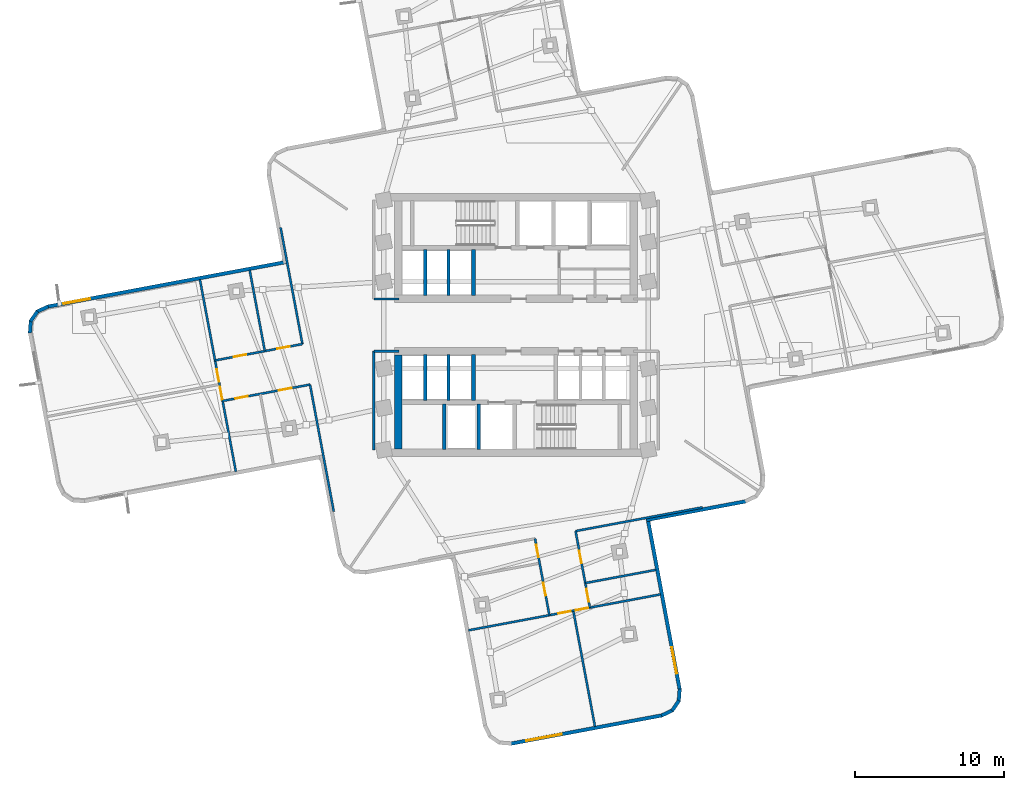
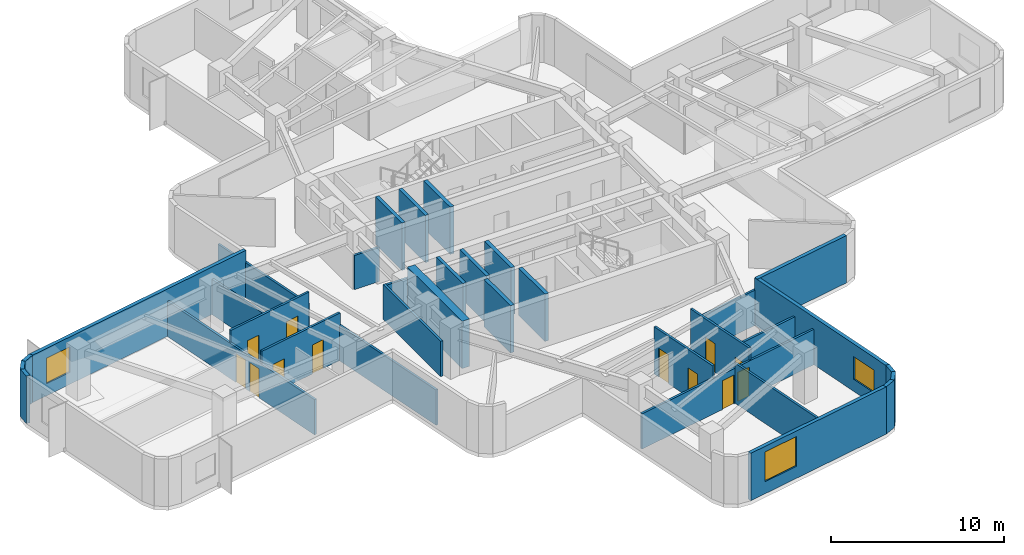
# One storey, part 3 of 9: 34 walls, 12 doors, 3 windows, 15 openings.
"""IFC4 building model written with IfcOpenShell, lengths in metres."""

from ifc_helpers import new_model, si_unit, direction, frame, frame_2d, origin, place, context, subcontext, project, spatial, rectangle, extrude, material, layer, layer_set, type_object, element, fill, save


model = new_model("IFC4")

# Units and contexts
model_context = context("Model", 3, precision=1e-05, world=origin(), true_north=direction((0.0, 1.0)))
body_context = subcontext(model_context, "Body", "Model", "MODEL_VIEW")
ifc_project = project(units=[si_unit("LENGTHUNIT", "METRE"), si_unit("AREAUNIT", "SQUARE_METRE"), si_unit("VOLUMEUNIT", "CUBIC_METRE"), si_unit("PLANEANGLEUNIT", "RADIAN"), si_unit("MASSUNIT", "GRAM", prefix="KILO")], contexts=[model_context])

# Site, building, storey
site_placement = place(None, origin())
site = spatial("IfcSite", under=ifc_project, at=site_placement, CompositionType="ELEMENT")
building_placement = place(site_placement, origin())
building = spatial("IfcBuilding", under=site, at=building_placement, Name="Solmarez Civic Tower", CompositionType="ELEMENT")
storey_placement = place(building_placement, frame((0.0, 0.0, 100.080078125)))
storey = spatial("IfcBuildingStorey", under=building, at=storey_placement, Name="L26", CompositionType="ELEMENT", Elevation=100.080078125)

# Walls
ifc_material_1 = material(Name="Concrete C60/75", Category="concrete")
ifc_layer_1 = layer(ifc_material_1, 0.5)
ifc_layer_set_1 = layer_set([ifc_layer_1], Name="Concrete C60/75")
wall_type_1 = type_object("IfcWallType", Name="WALL-CORE-500", PredefinedType="SHEAR", material=ifc_layer_set_1)
wall_1_placement = place(storey_placement, frame((-7.8701171875, -8.31005859375, 0.0), z_axis=(0.0, 0.0, 1.0), x_axis=(0.0, 1.0, 0.0)))
element("IfcWall", 1, at=wall_1_placement, inside=storey, type_object=wall_type_1, Name="L26 Split-Core Structural Wall SCW-W-L26", PredefinedType="SHEAR", context=body_context, shape_type="SweptSolid", body=[
    extrude(rectangle(XDim=6.31005859375, YDim=0.5, at=frame_2d((3.155029296875, 0.0))), origin(), (0.0, 0.0, 1.0), 3.33984375),
])
ifc_material_2 = material(Name="Precast concrete C40/50", Category="concrete")
ifc_layer_2 = layer(ifc_material_2, 0.239990234375)
ifc_layer_set_2 = layer_set([ifc_layer_2], Name="Precast concrete C40/50")
wall_type_2 = type_object("IfcWallType", Name="WALL-EXT-240", PredefinedType="SOLIDWALL", material=ifc_layer_set_2)
wall_2_placement = place(storey_placement, frame((-32.54296875, -0.535888671875, 0.0), z_axis=(0.0, 0.0, 1.0), x_axis=(0.07586448817, 0.997118137151, 0.0)))
element("IfcWall", 2, at=wall_2_placement, inside=storey, type_object=wall_type_2, Name="L26 Exterior Precast Wall 7", PredefinedType="SOLIDWALL", context=body_context, shape_type="SweptSolid", body=[
    extrude(rectangle(XDim=0.830322265625, YDim=0.239990234375, at=frame_2d((0.4150390625, 0.0))), origin(), (0.0, 0.0, 1.0), 3.33984375),
])
wall_3_placement = place(storey_placement, frame((-32.49609375, 0.24609375, 0.0), z_axis=(0.0, 0.0, 1.0), x_axis=(0.56454433247, 0.825402748163, 0.0)))
element("IfcWall", 3, at=wall_3_placement, inside=storey, type_object=wall_type_2, Name="L26 Exterior Precast Wall 8", PredefinedType="SOLIDWALL", context=body_context, shape_type="SweptSolid", body=[
    extrude(rectangle(XDim=0.815185546875, YDim=0.239990234375, at=frame_2d((0.40771484375, 0.0))), origin(), (0.0, 0.0, 1.0), 3.33984375),
])
wall_4_placement = place(storey_placement, frame((-32.072998046875, 0.886962890625, 0.0), z_axis=(0.0, 0.0, 1.0), x_axis=(0.901930409836, 0.431881390908, 0.0)))
element("IfcWall", 4, at=wall_4_placement, inside=storey, type_object=wall_type_2, Name="L26 Exterior Precast Wall 9", PredefinedType="SOLIDWALL", context=body_context, shape_type="SweptSolid", body=[
    extrude(rectangle(XDim=0.83154296875, YDim=0.239990234375, at=frame_2d((0.415771484375, 0.0))), origin(), (0.0, 0.0, 1.0), 3.33984375),
])

# Wall, opening, window
wall_5_placement = place(storey_placement, frame((-31.37109375, 1.22998046875, 0.0), z_axis=(0.0, 0.0, 1.0), x_axis=(0.982920382654, 0.18403130539, 0.0)))
wall_5 = element("IfcWall", 5, at=wall_5_placement, inside=storey, type_object=wall_type_2, Name="L26 Exterior Precast Wall 10", PredefinedType="SOLIDWALL", context=body_context, shape_type="SweptSolid", body=[
    extrude(rectangle(XDim=16.275146484375, YDim=0.239990234375, at=frame_2d((8.1376953125, 0.0))), origin(), (0.0, 0.0, 1.0), 3.33984375),
])
opening_1_placement = place(wall_5_placement, frame((1.10009765625, 0.0, 0.85009765625)))
opening_1 = element("IfcOpeningElement", 6, at=opening_1_placement, cuts=wall_5, Name="Opening W-08", PredefinedType="OPENING", context=body_context, shape_type="SweptSolid", body=[
    extrude(rectangle(XDim=1.800048828125, YDim=1.800048828125, at=frame_2d((0.89990234375, 0.89990234375))), frame((0.0, 0.1298828125, 0.0), z_axis=(0.0, -1.0, 0.0), x_axis=(1.0, 0.0, 0.0)), (0.0, 0.0, 1.0), 0.260009765625),
])
ifc_material_3 = material(Name="Solar Control Bronze-Tinted Insulating Glass", Category="glass")
window_type_1 = type_object("IfcWindowType", Name="WIN-1800X1800", PartitioningType="SINGLE_PANEL", PredefinedType="WINDOW", material=ifc_material_3)
window_1_placement = place(opening_1_placement, origin())
window_1 = element("IfcWindow", 7, at=window_1_placement, inside=storey, type_object=window_type_1, Name="L26 Exterior Facade Window 10", OverallHeight=1.800048828125, OverallWidth=1.800048828125, PartitioningType="SINGLE_PANEL", PredefinedType="WINDOW", context=body_context, shape_type="SweptSolid", body=[
    extrude(rectangle(XDim=1.800048828125, YDim=1.800048828125, at=frame_2d((0.89990234375, 0.89990234375))), frame((0.0, 0.030029296875, 0.0), z_axis=(0.0, -1.0, 0.0), x_axis=(1.0, 0.0, 0.0)), (0.0, 0.0, 1.0), 0.06005859375),
])
fill(opening_1, window_1)

# Wall
wall_6_placement = place(storey_placement, frame((15.39306640625, -11.799072265625, 0.0), z_axis=(0.0, 0.0, 1.0), x_axis=(-0.982891759821, -0.184184115697, 0.0)))
element("IfcWall", 8, at=wall_6_placement, inside=storey, type_object=wall_type_2, Name="L26 Exterior Precast Wall 53", PredefinedType="SOLIDWALL", context=body_context, shape_type="SweptSolid", body=[
    extrude(rectangle(XDim=6.776123046875, YDim=0.239990234375, at=frame_2d((3.38818359375, 0.0))), origin(), (0.0, 0.0, 1.0), 3.33984375),
])

# Wall, opening, window
wall_7_placement = place(storey_placement, frame((8.80908203125, -12.93505859375, 0.0), z_axis=(0.0, 0.0, 1.0), x_axis=(0.184057484564, -0.98291548079, 0.0)))
wall_7 = element("IfcWall", 9, at=wall_7_placement, inside=storey, type_object=wall_type_2, Name="L26 Exterior Precast Wall 56", PredefinedType="SOLIDWALL", context=body_context, shape_type="SweptSolid", body=[
    extrude(rectangle(XDim=11.67529296875, YDim=0.239990234375, at=frame_2d((5.837646484375, 0.0))), origin(), (0.0, 0.0, 1.0), 3.33984375),
])
opening_2_placement = place(wall_7_placement, frame((8.77490234375, 0.0, 0.85009765625)))
opening_2 = element("IfcOpeningElement", 10, at=opening_2_placement, cuts=wall_7, Name="Opening W-12", PredefinedType="OPENING", context=body_context, shape_type="SweptSolid", body=[
    extrude(rectangle(XDim=1.800048828125, YDim=1.60009765625, at=frame_2d((0.89990234375, 0.800048828125))), frame((0.0, 0.1298828125, 0.0), z_axis=(0.0, -1.0, 0.0), x_axis=(1.0, 0.0, 0.0)), (0.0, 0.0, 1.0), 0.260009765625),
])
window_type_2 = type_object("IfcWindowType", Name="WIN-1800X1600", PartitioningType="SINGLE_PANEL", PredefinedType="WINDOW", material=ifc_material_3)
window_2_placement = place(opening_2_placement, origin())
window_2 = element("IfcWindow", 11, at=window_2_placement, inside=storey, type_object=window_type_2, Name="L26 Exterior Facade Window 56", OverallHeight=1.60009765625, OverallWidth=1.800048828125, PartitioningType="SINGLE_PANEL", PredefinedType="WINDOW", context=body_context, shape_type="SweptSolid", body=[
    extrude(rectangle(XDim=1.800048828125, YDim=1.60009765625, at=frame_2d((0.89990234375, 0.800048828125))), frame((0.0, 0.030029296875, 0.0), z_axis=(0.0, -1.0, 0.0), x_axis=(1.0, 0.0, 0.0)), (0.0, 0.0, 1.0), 0.06005859375),
])
fill(opening_2, window_2)

# Walls
wall_8_placement = place(storey_placement, frame((10.955078125, -24.361083984375, 0.0), z_axis=(0.0, 0.0, 1.0), x_axis=(-0.077033754987, -0.997028485347, 0.0)))
element("IfcWall", 12, at=wall_8_placement, inside=storey, type_object=wall_type_2, Name="L26 Exterior Precast Wall 57", PredefinedType="SOLIDWALL", context=body_context, shape_type="SweptSolid", body=[
    extrude(rectangle(XDim=0.830322265625, YDim=0.239990234375, at=frame_2d((0.4150390625, 0.0))), origin(), (0.0, 0.0, 1.0), 3.33984375),
])
wall_9_placement = place(storey_placement, frame((10.906982421875, -25.14306640625, 0.0), z_axis=(0.0, 0.0, 1.0), x_axis=(-0.564898876177, -0.825160141847, 0.0)))
element("IfcWall", 13, at=wall_9_placement, inside=storey, type_object=wall_type_2, Name="L26 Exterior Precast Wall 58", PredefinedType="SOLIDWALL", context=body_context, shape_type="SweptSolid", body=[
    extrude(rectangle(XDim=0.814208984375, YDim=0.239990234375, at=frame_2d((0.4072265625, 0.0))), origin(), (0.0, 0.0, 1.0), 3.33984375),
])
wall_10_placement = place(storey_placement, frame((10.48388671875, -25.782958984375, 0.0), z_axis=(0.0, 0.0, 1.0), x_axis=(-0.901656054187, -0.432453881874, 0.0)))
element("IfcWall", 14, at=wall_10_placement, inside=storey, type_object=wall_type_2, Name="L26 Exterior Precast Wall 59", PredefinedType="SOLIDWALL", context=body_context, shape_type="SweptSolid", body=[
    extrude(rectangle(XDim=0.83056640625, YDim=0.239990234375, at=frame_2d((0.415283203125, 0.0))), origin(), (0.0, 0.0, 1.0), 3.33984375),
])

# Wall, opening, window
wall_11_placement = place(storey_placement, frame((9.782958984375, -26.1259765625, 0.0), z_axis=(0.0, 0.0, 1.0), x_axis=(-0.98292624202, -0.184000007471, 0.0)))
wall_11 = element("IfcWall", 15, at=wall_11_placement, inside=storey, type_object=wall_type_2, Name="L26 Exterior Precast Wall 60", PredefinedType="SOLIDWALL", context=body_context, shape_type="SweptSolid", body=[
    extrude(rectangle(XDim=10.3203125, YDim=0.239990234375, at=frame_2d((5.16015625, 0.0))), origin(), (0.0, 0.0, 1.0), 3.33984375),
])
opening_3_placement = place(wall_11_placement, frame((6.85009765625, 0.0, 0.85009765625)))
opening_3 = element("IfcOpeningElement", 16, at=opening_3_placement, cuts=wall_11, Name="Opening W-02", PredefinedType="OPENING", context=body_context, shape_type="SweptSolid", body=[
    extrude(rectangle(XDim=2.39990234375, YDim=2.10009765625, at=frame_2d((1.199951171875, 1.050048828125))), frame((0.0, 0.1298828125, 0.0), z_axis=(0.0, -1.0, 0.0), x_axis=(1.0, 0.0, 0.0)), (0.0, 0.0, 1.0), 0.260009765625),
])
window_type_3 = type_object("IfcWindowType", Name="WIN-2400X2100", PartitioningType="SINGLE_PANEL", PredefinedType="WINDOW", material=ifc_material_3)
window_3_placement = place(opening_3_placement, origin())
window_3 = element("IfcWindow", 17, at=window_3_placement, inside=storey, type_object=window_type_3, Name="L26 Exterior Facade Window 60", OverallHeight=2.10009765625, OverallWidth=2.39990234375, PartitioningType="SINGLE_PANEL", PredefinedType="WINDOW", context=body_context, shape_type="SweptSolid", body=[
    extrude(rectangle(XDim=2.39990234375, YDim=2.10009765625, at=frame_2d((1.199951171875, 1.050048828125))), frame((0.0, 0.030029296875, 0.0), z_axis=(0.0, -1.0, 0.0), x_axis=(1.0, 0.0, 0.0)), (0.0, 0.0, 1.0), 0.06005859375),
])
fill(opening_3, window_3)

# Walls
ifc_material_4 = material(Name="Gypsum Board Acoustic Steel-Stud Partition", Category="steel")
ifc_layer_3 = layer(ifc_material_4, 0.14990234375)
ifc_layer_set_3 = layer_set([ifc_layer_3], Name="Gypsum Board Acoustic Steel-Stud Partition")
wall_type_3 = type_object("IfcWallType", Name="WALL-INT-FIRE-150", PredefinedType="PARTITIONING", material=ifc_layer_set_3)
wall_12_placement = place(storey_placement, frame((-7.85009765625, 1.75, 0.0), z_axis=(0.0, 0.0, 1.0), x_axis=(-1.0, 0.0, 0.0)))
element("IfcWall", 18, at=wall_12_placement, inside=storey, type_object=wall_type_3, Name="L26 Interior Partition CHW-L26-WN3", PredefinedType="PARTITIONING", context=body_context, shape_type="SweptSolid", body=[
    extrude(rectangle(XDim=1.669921875, YDim=0.14990234375, at=frame_2d((0.8349609375, 0.0))), origin(), (0.0, 0.0, 1.0), 2.405029296875),
])
wall_13_placement = place(storey_placement, frame((-9.52001953125, -8.3798828125, 0.0), z_axis=(0.0, 0.0, 1.0), x_axis=(0.0, 1.0, 0.0)))
element("IfcWall", 19, at=wall_13_placement, inside=storey, type_object=wall_type_3, Name="L26 Interior Partition CHW-L26-WS1", PredefinedType="PARTITIONING", context=body_context, shape_type="SweptSolid", body=[
    extrude(rectangle(XDim=6.6298828125, YDim=0.14990234375, at=frame_2d((3.31494140625, 0.0))), origin(), (0.0, 0.0, 1.0), 2.48583984375),
])
wall_14_placement = place(storey_placement, frame((-7.85009765625, -1.75, 0.0), z_axis=(0.0, 0.0, 1.0), x_axis=(-1.0, 0.0, 0.0)))
element("IfcWall", 20, at=wall_14_placement, inside=storey, type_object=wall_type_3, Name="L26 Interior Partition CHW-L26-WS3", PredefinedType="PARTITIONING", context=body_context, shape_type="SweptSolid", body=[
    extrude(rectangle(XDim=1.669921875, YDim=0.14990234375, at=frame_2d((0.8349609375, 0.0))), origin(), (0.0, 0.0, 1.0), 2.405029296875),
])
ifc_layer_4 = layer(ifc_material_4, 0.14501953125)
ifc_layer_set_4 = layer_set([ifc_layer_4], Name="Gypsum Board Acoustic Steel-Stud Partition")
wall_type_4 = type_object("IfcWallType", Name="WALL-INT-PART-150", PredefinedType="PARTITIONING", material=ifc_layer_set_4)
wall_15_placement = place(storey_placement, frame((-13.7939453125, -3.97509765625, 0.0), z_axis=(0.0, 0.0, 1.0), x_axis=(0.183947683851, -0.982936035358, 0.0)))
element("IfcWall", 21, at=wall_15_placement, inside=storey, type_object=wall_type_4, Name="L26 Interior Partition PT-L26-W-EFL", PredefinedType="PARTITIONING", context=body_context, shape_type="SweptSolid", body=[
    extrude(rectangle(XDim=8.649658203125, YDim=0.14501953125, at=frame_2d((4.32470703125, 0.0))), origin(), (0.0, 0.0, 1.0), 2.48583984375),
])
wall_16_placement = place(storey_placement, frame((-15.760986328125, 6.531982421875, 0.0), z_axis=(0.0, 0.0, 1.0), x_axis=(0.184017811376, -0.98292290903, 0.0)))
element("IfcWall", 22, at=wall_16_placement, inside=storey, type_object=wall_type_4, Name="L26 Interior Partition PT-L26-W-EFR", PredefinedType="PARTITIONING", context=body_context, shape_type="SweptSolid", body=[
    extrude(rectangle(XDim=7.94970703125, YDim=0.14501953125, at=frame_2d((3.974853515625, 0.0))), origin(), (0.0, 0.0, 1.0), 2.48583984375),
])
wall_17_placement = place(storey_placement, frame((-17.8310546875, 3.677978515625, 0.0), z_axis=(0.0, 0.0, 1.0), x_axis=(0.183993430365, -0.982927473206, 0.0)))
element("IfcWall", 23, at=wall_17_placement, inside=storey, type_object=wall_type_4, Name="L26 Interior Partition PT-L26-W-RM", PredefinedType="PARTITIONING", context=body_context, shape_type="SweptSolid", body=[
    extrude(rectangle(XDim=5.49462890625, YDim=0.14501953125, at=frame_2d((2.747314453125, 0.0))), origin(), (0.0, 0.0, 1.0), 2.48583984375),
])

# Wall, openings, doors
wall_18_placement = place(storey_placement, frame((-19.64111328125, -5.080078125, 0.0), z_axis=(0.0, 0.0, 1.0), x_axis=(0.982925094433, 0.184006137763, 0.0)))
wall_18 = element("IfcWall", 24, at=wall_18_placement, inside=storey, type_object=wall_type_4, Name="L26 Interior Partition PT-L26-W-SL", PredefinedType="PARTITIONING", context=body_context, shape_type="SweptSolid", body=[
    extrude(rectangle(XDim=5.95068359375, YDim=0.14501953125, at=frame_2d((2.975341796875, 0.0))), origin(), (0.0, 0.0, 1.0), 3.33984375),
])
opening_4_placement = place(wall_18_placement, frame((3.825927734375, 0.0, 0.0)))
opening_4 = element("IfcOpeningElement", 25, at=opening_4_placement, cuts=wall_18, Name="Opening D-14", PredefinedType="OPENING", context=body_context, shape_type="SweptSolid", body=[
    extrude(rectangle(XDim=0.860107421875, YDim=2.0400390625, at=frame_2d((0.43017578125, 1.02001953125))), frame((0.0, 0.08251953125, 0.0), z_axis=(0.0, -1.0, 0.0), x_axis=(1.0, 0.0, 0.0)), (0.0, 0.0, 1.0), 0.1650390625),
])
opening_5_placement = place(wall_18_placement, frame((0.85107421875, 0.0, 0.0)))
opening_5 = element("IfcOpeningElement", 26, at=opening_5_placement, cuts=wall_18, Name="Opening D-14", PredefinedType="OPENING", context=body_context, shape_type="SweptSolid", body=[
    extrude(rectangle(XDim=0.860107421875, YDim=2.0400390625, at=frame_2d((0.43017578125, 1.02001953125))), frame((0.0, 0.08251953125, 0.0), z_axis=(0.0, -1.0, 0.0), x_axis=(1.0, 0.0, 0.0)), (0.0, 0.0, 1.0), 0.1650390625),
])
ifc_material_5 = material(Name="Timber Storage and Pantry Door", Category="wood")
door_type = type_object("IfcDoorType", Name="DOOR-INT-850", OperationType="NOTDEFINED", PredefinedType="DOOR", material=ifc_material_5)
door_1_placement = place(opening_4_placement, origin())
door_1 = element("IfcDoor", 27, at=door_1_placement, inside=storey, type_object=door_type, Name="L26 Public Reading Room First West Door", OperationType="SINGLE_SWING_LEFT", OverallHeight=2.0400390625, OverallWidth=0.860107421875, PredefinedType="DOOR", context=body_context, shape_type="SweptSolid", body=[
    extrude(rectangle(XDim=0.860107421875, YDim=2.0400390625, at=frame_2d((0.43017578125, 1.02001953125))), frame((0.0, 0.02490234375, 0.0), z_axis=(0.0, -1.0, 0.0), x_axis=(1.0, 0.0, 0.0)), (0.0, 0.0, 1.0), 0.050048828125),
])
fill(opening_4, door_1)
door_2_placement = place(opening_5_placement, origin())
door_2 = element("IfcDoor", 28, at=door_2_placement, inside=storey, type_object=door_type, Name="L26 Delegates Lounge Second West Door", OperationType="SINGLE_SWING_RIGHT", OverallHeight=2.0400390625, OverallWidth=0.860107421875, PredefinedType="DOOR", context=body_context, shape_type="SweptSolid", body=[
    extrude(rectangle(XDim=0.860107421875, YDim=2.0400390625, at=frame_2d((0.43017578125, 1.02001953125))), frame((0.0, 0.02490234375, 0.0), z_axis=(0.0, -1.0, 0.0), x_axis=(1.0, 0.0, 0.0)), (0.0, 0.0, 1.0), 0.050048828125),
])
fill(opening_5, door_2)

wall_19_placement = place(storey_placement, frame((-14.300048828125, -1.27197265625, 0.0), z_axis=(0.0, 0.0, 1.0), x_axis=(-0.982918146816, -0.184043246711, 0.0)))
wall_19 = element("IfcWall", 29, at=wall_19_placement, inside=storey, type_object=wall_type_4, Name="L26 Interior Partition PT-L26-W-SR", PredefinedType="PARTITIONING", context=body_context, shape_type="SweptSolid", body=[
    extrude(rectangle(XDim=5.949462890625, YDim=0.14501953125, at=frame_2d((2.974609375, 0.0))), origin(), (0.0, 0.0, 1.0), 3.33984375),
])
opening_6_placement = place(wall_19_placement, frame((0.85009765625, 0.0, 0.0)))
opening_6 = element("IfcOpeningElement", 30, at=opening_6_placement, cuts=wall_19, Name="Opening D-14", PredefinedType="OPENING", context=body_context, shape_type="SweptSolid", body=[
    extrude(rectangle(XDim=0.860107421875, YDim=2.0400390625, at=frame_2d((0.43017578125, 1.02001953125))), frame((0.0, 0.08251953125, 0.0), z_axis=(0.0, -1.0, 0.0), x_axis=(1.0, 0.0, 0.0)), (0.0, 0.0, 1.0), 0.1650390625),
])
opening_7_placement = place(wall_19_placement, frame((3.824951171875, 0.0, 0.0)))
opening_7 = element("IfcOpeningElement", 31, at=opening_7_placement, cuts=wall_19, Name="Opening D-14", PredefinedType="OPENING", context=body_context, shape_type="SweptSolid", body=[
    extrude(rectangle(XDim=0.860107421875, YDim=2.0400390625, at=frame_2d((0.43017578125, 1.02001953125))), frame((0.0, 0.08251953125, 0.0), z_axis=(0.0, -1.0, 0.0), x_axis=(1.0, 0.0, 0.0)), (0.0, 0.0, 1.0), 0.1650390625),
])
door_3_placement = place(opening_6_placement, origin())
door_3 = element("IfcDoor", 32, at=door_3_placement, inside=storey, type_object=door_type, Name="L26 Tribunal Mediation Conference Room Third West Door", OperationType="SINGLE_SWING_RIGHT", OverallHeight=2.0400390625, OverallWidth=0.860107421875, PredefinedType="DOOR", context=body_context, shape_type="SweptSolid", body=[
    extrude(rectangle(XDim=0.860107421875, YDim=2.0400390625, at=frame_2d((0.43017578125, 1.02001953125))), frame((0.0, 0.02490234375, 0.0), z_axis=(0.0, -1.0, 0.0), x_axis=(1.0, 0.0, 0.0)), (0.0, 0.0, 1.0), 0.050048828125),
])
fill(opening_6, door_3)
door_4_placement = place(opening_7_placement, origin())
door_4 = element("IfcDoor", 33, at=door_4_placement, inside=storey, type_object=door_type, Name="L26 Counsel Administration Office Fourth West Door", OperationType="SINGLE_SWING_LEFT", OverallHeight=2.0400390625, OverallWidth=0.860107421875, PredefinedType="DOOR", context=body_context, shape_type="SweptSolid", body=[
    extrude(rectangle(XDim=0.860107421875, YDim=2.0400390625, at=frame_2d((0.43017578125, 1.02001953125))), frame((0.0, 0.02490234375, 0.0), z_axis=(0.0, -1.0, 0.0), x_axis=(1.0, 0.0, 0.0)), (0.0, 0.0, 1.0), 0.050048828125),
])
fill(opening_7, door_4)

wall_20_placement = place(storey_placement, frame((-18.7548828125, -9.81298828125, 0.0), z_axis=(0.0, 0.0, 1.0), x_axis=(-0.183967597498, 0.982932308489, 0.0)))
wall_20 = element("IfcWall", 34, at=wall_20_placement, inside=storey, type_object=wall_type_4, Name="L26 Interior Partition PT-L26-W-END", PredefinedType="PARTITIONING", context=body_context, shape_type="SweptSolid", body=[
    extrude(rectangle(XDim=13.09033203125, YDim=0.14501953125, at=frame_2d((6.545166015625, 0.0))), origin(), (0.0, 0.0, 1.0), 2.48583984375),
])
opening_8_placement = place(wall_20_placement, frame((6.114990234375, 0.0, 0.0)))
opening_8 = element("IfcOpeningElement", 35, at=opening_8_placement, cuts=wall_20, Name="Opening D-14", PredefinedType="OPENING", context=body_context, shape_type="SweptSolid", body=[
    extrude(rectangle(XDim=0.860107421875, YDim=2.0400390625, at=frame_2d((0.43017578125, 1.02001953125))), frame((0.0, 0.08251953125, 0.0), z_axis=(0.0, -1.0, 0.0), x_axis=(1.0, 0.0, 0.0)), (0.0, 0.0, 1.0), 0.1650390625),
])
opening_9_placement = place(wall_20_placement, frame((4.9150390625, 0.0, 0.0)))
opening_9 = element("IfcOpeningElement", 36, at=opening_9_placement, cuts=wall_20, Name="Opening D-14", PredefinedType="OPENING", context=body_context, shape_type="SweptSolid", body=[
    extrude(rectangle(XDim=0.860107421875, YDim=2.0400390625, at=frame_2d((0.43017578125, 1.02001953125))), frame((0.0, 0.08251953125, 0.0), z_axis=(0.0, -1.0, 0.0), x_axis=(1.0, 0.0, 0.0)), (0.0, 0.0, 1.0), 0.1650390625),
])
door_5_placement = place(opening_8_placement, origin())
door_5 = element("IfcDoor", 37, at=door_5_placement, inside=storey, type_object=door_type, Name="L26 Counsel Administration Office Sixth West Door", OperationType="SINGLE_SWING_RIGHT", OverallHeight=2.0400390625, OverallWidth=0.860107421875, PredefinedType="DOOR", context=body_context, shape_type="SweptSolid", body=[
    extrude(rectangle(XDim=0.860107421875, YDim=2.0400390625, at=frame_2d((0.43017578125, 1.02001953125))), frame((0.0, 0.02490234375, 0.0), z_axis=(0.0, -1.0, 0.0), x_axis=(1.0, 0.0, 0.0)), (0.0, 0.0, 1.0), 0.050048828125),
])
fill(opening_8, door_5)
door_6_placement = place(opening_9_placement, origin())
door_6 = element("IfcDoor", 38, at=door_6_placement, inside=storey, type_object=door_type, Name="L26 Tribunal Mediation Conference Room Fifth West Door", OperationType="SINGLE_SWING_LEFT", OverallHeight=2.0400390625, OverallWidth=0.860107421875, PredefinedType="DOOR", context=body_context, shape_type="SweptSolid", body=[
    extrude(rectangle(XDim=0.860107421875, YDim=2.0400390625, at=frame_2d((0.43017578125, 1.02001953125))), frame((0.0, 0.02490234375, 0.0), z_axis=(0.0, -1.0, 0.0), x_axis=(1.0, 0.0, 0.0)), (0.0, 0.0, 1.0), 0.050048828125),
])
fill(opening_9, door_6)

# Walls
wall_21_placement = place(storey_placement, frame((3.97509765625, -13.7939453125, 0.0), z_axis=(0.0, 0.0, 1.0), x_axis=(0.982936035358, 0.183947683851, 0.0)))
element("IfcWall", 39, at=wall_21_placement, inside=storey, type_object=wall_type_4, Name="L26 Interior Partition PT-L26-S-EFL", PredefinedType="PARTITIONING", context=body_context, shape_type="SweptSolid", body=[
    extrude(rectangle(XDim=8.649658203125, YDim=0.14501953125, at=frame_2d((4.32470703125, 0.0))), origin(), (0.0, 0.0, 1.0), 2.48583984375),
])
wall_22_placement = place(storey_placement, frame((4.656005859375, -17.26806640625, 0.0), z_axis=(0.0, 0.0, 1.0), x_axis=(0.982932084341, 0.183968795106, 0.0)))
element("IfcWall", 40, at=wall_22_placement, inside=storey, type_object=wall_type_4, Name="L26 Interior Partition PT-L26-S-LM", PredefinedType="PARTITIONING", context=body_context, shape_type="SweptSolid", body=[
    extrude(rectangle(XDim=4.794677734375, YDim=0.14501953125, at=frame_2d((2.3974609375, 0.0))), origin(), (0.0, 0.0, 1.0), 2.48583984375),
])

# Wall, openings, doors
wall_23_placement = place(storey_placement, frame((4.944091796875, -18.9130859375, 0.0), z_axis=(0.0, 0.0, 1.0), x_axis=(-0.184062192303, 0.982914599222, 0.0)))
wall_23 = element("IfcWall", 41, at=wall_23_placement, inside=storey, type_object=wall_type_4, Name="L26 Interior Partition PT-L26-S-SL", PredefinedType="PARTITIONING", context=body_context, shape_type="SweptSolid", body=[
    extrude(rectangle(XDim=5.210205078125, YDim=0.14501953125, at=frame_2d((2.60498046875, 0.0))), origin(), (0.0, 0.0, 1.0), 3.33984375),
])
opening_10_placement = place(wall_23_placement, frame((3.010009765625, 0.0, 0.0)))
opening_10 = element("IfcOpeningElement", 42, at=opening_10_placement, cuts=wall_23, Name="Opening D-14", PredefinedType="OPENING", context=body_context, shape_type="SweptSolid", body=[
    extrude(rectangle(XDim=0.860107421875, YDim=2.0400390625, at=frame_2d((0.43017578125, 1.02001953125))), frame((0.0, 0.08251953125, 0.0), z_axis=(0.0, -1.0, 0.0), x_axis=(1.0, 0.0, 0.0)), (0.0, 0.0, 1.0), 0.1650390625),
])
opening_11_placement = place(wall_23_placement, frame((0.405029296875, 0.0, 0.0)))
opening_11 = element("IfcOpeningElement", 43, at=opening_11_placement, cuts=wall_23, Name="Opening D-14", PredefinedType="OPENING", context=body_context, shape_type="SweptSolid", body=[
    extrude(rectangle(XDim=0.860107421875, YDim=2.0400390625, at=frame_2d((0.43017578125, 1.02001953125))), frame((0.0, 0.08251953125, 0.0), z_axis=(0.0, -1.0, 0.0), x_axis=(1.0, 0.0, 0.0)), (0.0, 0.0, 1.0), 0.1650390625),
])
door_7_placement = place(opening_10_placement, origin())
door_7 = element("IfcDoor", 44, at=door_7_placement, inside=storey, type_object=door_type, Name="L26 Delegates Lounge First South Door", OperationType="SINGLE_SWING_LEFT", OverallHeight=2.0400390625, OverallWidth=0.860107421875, PredefinedType="DOOR", context=body_context, shape_type="SweptSolid", body=[
    extrude(rectangle(XDim=0.860107421875, YDim=2.0400390625, at=frame_2d((0.43017578125, 1.02001953125))), frame((0.0, 0.02490234375, 0.0), z_axis=(0.0, -1.0, 0.0), x_axis=(1.0, 0.0, 0.0)), (0.0, 0.0, 1.0), 0.050048828125),
])
fill(opening_10, door_7)
door_8_placement = place(opening_11_placement, origin())
door_8 = element("IfcDoor", 45, at=door_8_placement, inside=storey, type_object=door_type, Name="L26 Tribunal Mediation Conference Room Second South Door", OperationType="SINGLE_SWING_RIGHT", OverallHeight=2.0400390625, OverallWidth=0.860107421875, PredefinedType="DOOR", context=body_context, shape_type="SweptSolid", body=[
    extrude(rectangle(XDim=0.860107421875, YDim=2.0400390625, at=frame_2d((0.43017578125, 1.02001953125))), frame((0.0, 0.02490234375, 0.0), z_axis=(0.0, -1.0, 0.0), x_axis=(1.0, 0.0, 0.0)), (0.0, 0.0, 1.0), 0.050048828125),
])
fill(opening_11, door_8)

wall_24_placement = place(storey_placement, frame((1.27197265625, -14.300048828125, 0.0), z_axis=(0.0, 0.0, 1.0), x_axis=(0.184070670298, -0.982913011581, 0.0)))
wall_24 = element("IfcWall", 46, at=wall_24_placement, inside=storey, type_object=wall_type_4, Name="L26 Interior Partition PT-L26-S-SR", PredefinedType="PARTITIONING", context=body_context, shape_type="SweptSolid", body=[
    extrude(rectangle(XDim=5.2099609375, YDim=0.14501953125, at=frame_2d((2.60498046875, 0.0))), origin(), (0.0, 0.0, 1.0), 3.33984375),
])
opening_12_placement = place(wall_24_placement, frame((0.405029296875, 0.0, 0.0)))
opening_12 = element("IfcOpeningElement", 47, at=opening_12_placement, cuts=wall_24, Name="Opening D-14", PredefinedType="OPENING", context=body_context, shape_type="SweptSolid", body=[
    extrude(rectangle(XDim=0.860107421875, YDim=2.0400390625, at=frame_2d((0.43017578125, 1.02001953125))), frame((0.0, 0.08251953125, 0.0), z_axis=(0.0, -1.0, 0.0), x_axis=(1.0, 0.0, 0.0)), (0.0, 0.0, 1.0), 0.1650390625),
])
opening_13_placement = place(wall_24_placement, frame((3.010009765625, 0.0, 0.0)))
opening_13 = element("IfcOpeningElement", 48, at=opening_13_placement, cuts=wall_24, Name="Opening D-14", PredefinedType="OPENING", context=body_context, shape_type="SweptSolid", body=[
    extrude(rectangle(XDim=0.860107421875, YDim=2.0400390625, at=frame_2d((0.43017578125, 1.02001953125))), frame((0.0, 0.08251953125, 0.0), z_axis=(0.0, -1.0, 0.0), x_axis=(1.0, 0.0, 0.0)), (0.0, 0.0, 1.0), 0.1650390625),
])
door_9_placement = place(opening_12_placement, origin())
door_9 = element("IfcDoor", 49, at=door_9_placement, inside=storey, type_object=door_type, Name="L26 Counsel Administration Office Third South Door", OperationType="SINGLE_SWING_RIGHT", OverallHeight=2.0400390625, OverallWidth=0.860107421875, PredefinedType="DOOR", context=body_context, shape_type="SweptSolid", body=[
    extrude(rectangle(XDim=0.860107421875, YDim=2.0400390625, at=frame_2d((0.43017578125, 1.02001953125))), frame((0.0, 0.02490234375, 0.0), z_axis=(0.0, -1.0, 0.0), x_axis=(1.0, 0.0, 0.0)), (0.0, 0.0, 1.0), 0.050048828125),
])
fill(opening_12, door_9)
door_10_placement = place(opening_13_placement, origin())
door_10 = element("IfcDoor", 50, at=door_10_placement, inside=storey, type_object=door_type, Name="L26 Public Reading Room Fourth South Door", OperationType="SINGLE_SWING_LEFT", OverallHeight=2.0400390625, OverallWidth=0.860107421875, PredefinedType="DOOR", context=body_context, shape_type="SweptSolid", body=[
    extrude(rectangle(XDim=0.860107421875, YDim=2.0400390625, at=frame_2d((0.43017578125, 1.02001953125))), frame((0.0, 0.02490234375, 0.0), z_axis=(0.0, -1.0, 0.0), x_axis=(1.0, 0.0, 0.0)), (0.0, 0.0, 1.0), 0.050048828125),
])
fill(opening_13, door_10)

# Wall
wall_25_placement = place(storey_placement, frame((3.843994140625, -19.179931640625, 0.0), z_axis=(0.0, 0.0, 1.0), x_axis=(0.183912237739, -0.982942668119, 0.0)))
element("IfcWall", 51, at=wall_25_placement, inside=storey, type_object=wall_type_4, Name="L26 Interior Partition PT-L26-S-TM", PredefinedType="PARTITIONING", context=body_context, shape_type="SweptSolid", body=[
    extrude(rectangle(XDim=7.834716796875, YDim=0.14501953125, at=frame_2d((3.91748046875, 0.0))), origin(), (0.0, 0.0, 1.0), 2.83203125),
])

# Wall, openings, doors
wall_26_placement = place(storey_placement, frame((9.676025390625, -18.028076171875, 0.0), z_axis=(0.0, 0.0, 1.0), x_axis=(-0.98293315623, -0.183963067988, 0.0)))
wall_26 = element("IfcWall", 52, at=wall_26_placement, inside=storey, type_object=wall_type_4, Name="L26 Interior Partition PT-L26-S-END", PredefinedType="PARTITIONING", context=body_context, shape_type="SweptSolid", body=[
    extrude(rectangle(XDim=13.08935546875, YDim=0.14501953125, at=frame_2d((6.544677734375, 0.0))), origin(), (0.0, 0.0, 1.0), 2.48583984375),
])
opening_14_placement = place(wall_26_placement, frame((6.114990234375, 0.0, 0.0)))
opening_14 = element("IfcOpeningElement", 53, at=opening_14_placement, cuts=wall_26, Name="Opening D-14", PredefinedType="OPENING", context=body_context, shape_type="SweptSolid", body=[
    extrude(rectangle(XDim=0.860107421875, YDim=2.0400390625, at=frame_2d((0.43017578125, 1.02001953125))), frame((0.0, 0.08251953125, 0.0), z_axis=(0.0, -1.0, 0.0), x_axis=(1.0, 0.0, 0.0)), (0.0, 0.0, 1.0), 0.1650390625),
])
opening_15_placement = place(wall_26_placement, frame((4.9150390625, 0.0, 0.0)))
opening_15 = element("IfcOpeningElement", 54, at=opening_15_placement, cuts=wall_26, Name="Opening D-14", PredefinedType="OPENING", context=body_context, shape_type="SweptSolid", body=[
    extrude(rectangle(XDim=0.860107421875, YDim=2.0400390625, at=frame_2d((0.43017578125, 1.02001953125))), frame((0.0, 0.08251953125, 0.0), z_axis=(0.0, -1.0, 0.0), x_axis=(1.0, 0.0, 0.0)), (0.0, 0.0, 1.0), 0.1650390625),
])
door_11_placement = place(opening_14_placement, origin())
door_11 = element("IfcDoor", 55, at=door_11_placement, inside=storey, type_object=door_type, Name="L26 Public Reading Room Sixth South Door", OperationType="SINGLE_SWING_RIGHT", OverallHeight=2.0400390625, OverallWidth=0.860107421875, PredefinedType="DOOR", context=body_context, shape_type="SweptSolid", body=[
    extrude(rectangle(XDim=0.860107421875, YDim=2.0400390625, at=frame_2d((0.43017578125, 1.02001953125))), frame((0.0, 0.02490234375, 0.0), z_axis=(0.0, -1.0, 0.0), x_axis=(1.0, 0.0, 0.0)), (0.0, 0.0, 1.0), 0.050048828125),
])
fill(opening_14, door_11)
door_12_placement = place(opening_15_placement, origin())
door_12 = element("IfcDoor", 56, at=door_12_placement, inside=storey, type_object=door_type, Name="L26 Counsel Administration Office Fifth South Door", OperationType="SINGLE_SWING_LEFT", OverallHeight=2.0400390625, OverallWidth=0.860107421875, PredefinedType="DOOR", context=body_context, shape_type="SweptSolid", body=[
    extrude(rectangle(XDim=0.860107421875, YDim=2.0400390625, at=frame_2d((0.43017578125, 1.02001953125))), frame((0.0, 0.02490234375, 0.0), z_axis=(0.0, -1.0, 0.0), x_axis=(1.0, 0.0, 0.0)), (0.0, 0.0, 1.0), 0.050048828125),
])
fill(opening_15, door_12)

# Walls
ifc_material_6 = material(Name="Concrete C50/60", Category="concrete")
ifc_layer_5 = layer(ifc_material_6, 0.300048828125)
ifc_layer_set_5 = layer_set([ifc_layer_5], Name="Concrete C50/60")
wall_type_5 = type_object("IfcWallType", Name="WALL-STR-300", PredefinedType="SOLIDWALL", material=ifc_layer_set_5)
wall_27_placement = place(storey_placement, frame((-2.85009765625, 1.97998046875, 0.0), z_axis=(0.0, 0.0, 1.0), x_axis=(0.0, 1.0, 0.0)))
element("IfcWall", 57, at=wall_27_placement, inside=storey, type_object=wall_type_5, Name="L26 Split-Core Structural Wall SHW-NL1-L26", PredefinedType="SOLIDWALL", context=body_context, shape_type="SweptSolid", body=[
    extrude(rectangle(XDim=3.070068359375, YDim=0.25, at=frame_2d((1.53515625, 0.0))), origin(), (0.0, 0.0, 1.0), 3.33984375),
])
for number, where, z_axis, x_axis, name in (
    (58, (-2.5, -8.340087890625, 0.0), (0.0, 0.0, 1.0), (0.0, 1.0, 0.0), "L26 Split-Core Structural Wall SHW-S2-L26"),
    (59, (-4.800048828125, -8.340087890625, 0.0), (0.0, 0.0, 1.0), (0.0, 1.0, 0.0), "L26 Split-Core Structural Wall SHW-S3-L26"),
):
    element("IfcWall", number, at=place(storey_placement, frame(where, z_axis=z_axis, x_axis=x_axis)), inside=storey, type_object=wall_type_5, Name=name, PredefinedType="SOLIDWALL", context=body_context, shape_type="SweptSolid", body=[
        extrude(rectangle(XDim=3.0400390625, YDim=0.25, at=frame_2d((1.52001953125, 0.0))), origin(), (0.0, 0.0, 1.0), 3.33984375),
    ])
wall_28_placement = place(storey_placement, frame((-2.85009765625, -5.050048828125, 0.0), z_axis=(0.0, 0.0, 1.0), x_axis=(0.0, 1.0, 0.0)))
element("IfcWall", 60, at=wall_28_placement, inside=storey, type_object=wall_type_5, Name="L26 Split-Core Structural Wall SHW-SL1-L26", PredefinedType="SOLIDWALL", context=body_context, shape_type="SweptSolid", body=[
    extrude(rectangle(XDim=3.070068359375, YDim=0.25, at=frame_2d((1.53515625, 0.0))), origin(), (0.0, 0.0, 1.0), 3.33984375),
])
for number, where, z_axis, x_axis, name in (
    (61, (-6.080078125, 1.97998046875, 0.0), (0.0, 0.0, 1.0), (0.0, 1.0, 0.0), "L26 Split-Core Structural Wall SHW-PLH-L26-1"),
    (62, (-4.52001953125, 1.97998046875, 0.0), (0.0, 0.0, 1.0), (0.0, 1.0, 0.0), "L26 Split-Core Structural Wall SHW-PLH-L26-2"),
    (63, (-6.080078125, -5.050048828125, 0.0), (0.0, 0.0, 1.0), (0.0, 1.0, 0.0), "L26 Split-Core Structural Wall SHW-PLM-L26-1"),
    (64, (-4.52001953125, -5.050048828125, 0.0), (0.0, 0.0, 1.0), (0.0, 1.0, 0.0), "L26 Split-Core Structural Wall SHW-PLM-L26-2"),
):
    element("IfcWall", number, at=place(storey_placement, frame(where, z_axis=z_axis, x_axis=x_axis)), inside=storey, type_object=wall_type_5, Name=name, PredefinedType="SOLIDWALL", context=body_context, shape_type="SweptSolid", body=[
        extrude(rectangle(XDim=3.070068359375, YDim=0.219970703125, at=frame_2d((1.53515625, 0.0))), origin(), (0.0, 0.0, 1.0), 3.33984375),
    ])

save(model, "model.ifc")
